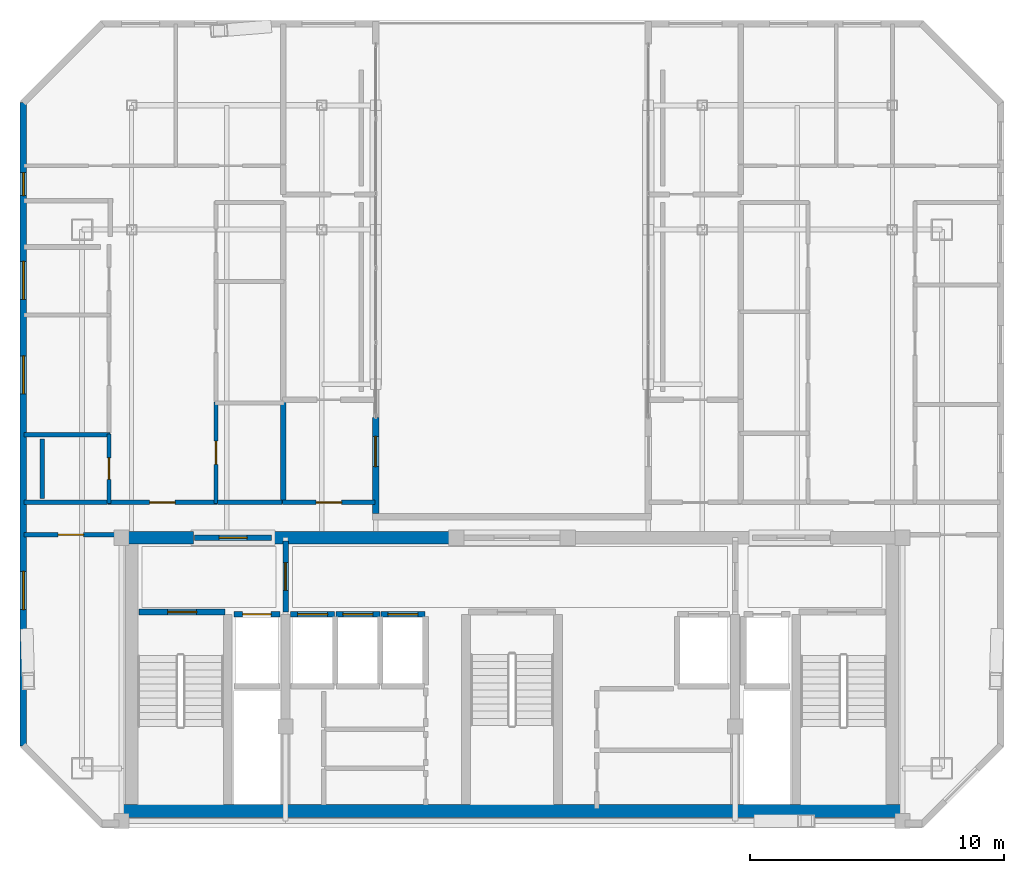
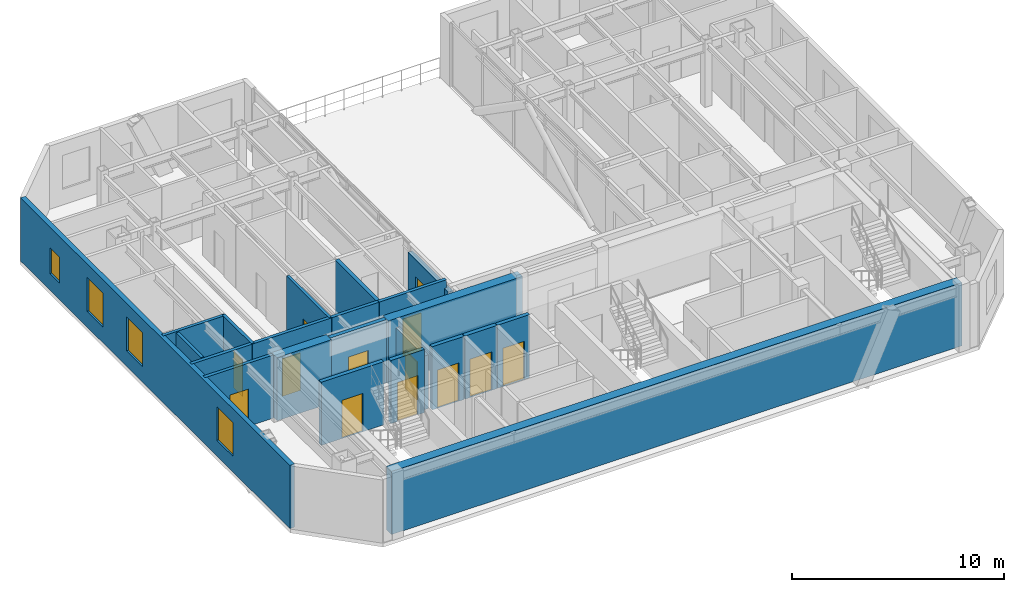
# One storey, part 9 of 14: 22 walls, 13 doors, 4 windows, 17 openings.
"""IFC4 building model written with IfcOpenShell, lengths in metres."""

from ifc_helpers import new_model, si_unit, direction, frame, frame_2d, origin, place, context, subcontext, project, spatial, rectangle, extrude, material, layer, layer_set, type_object, element, fill, save


model = new_model("IFC4")

# Units and contexts
model_context = context("Model", 3, precision=1e-05, world=origin(), true_north=direction((0.0, 1.0)))
body_context = subcontext(model_context, "Body", "Model", "MODEL_VIEW")
ifc_project = project(units=[si_unit("LENGTHUNIT", "METRE"), si_unit("AREAUNIT", "SQUARE_METRE"), si_unit("VOLUMEUNIT", "CUBIC_METRE"), si_unit("PLANEANGLEUNIT", "RADIAN"), si_unit("MASSUNIT", "GRAM", prefix="KILO")], contexts=[model_context])

# Site, building, storey
site_placement = place(None, origin())
site = spatial("IfcSite", under=ifc_project, at=site_placement, CompositionType="ELEMENT")
building_placement = place(site_placement, origin())
building = spatial("IfcBuilding", under=site, at=building_placement, Name="Ventersveld Concourse Tower", CompositionType="ELEMENT")
storey_placement = place(building_placement, frame((0.0, 0.0, 337.5)))
storey = spatial("IfcBuildingStorey", under=building, at=storey_placement, Name="L83", CompositionType="ELEMENT", Elevation=337.5)

# Walls
ifc_material_1 = material(Name="Concrete C50/60", Category="concrete")
ifc_layer_1 = layer(ifc_material_1, 0.5)
ifc_layer_set_1 = layer_set([ifc_layer_1], Name="Concrete C50/60")
wall_type_1 = type_object("IfcWallType", Name="WL-CORE-500", PredefinedType="SHEAR", material=ifc_layer_set_1)
wall_1_placement = place(storey_placement, frame((13.25, 0.669921875, 0.0), z_axis=(0.0, 0.0, 1.0), x_axis=(1.0, 0.0, 0.0)))
element("IfcWall", 1, at=wall_1_placement, inside=storey, type_object=wall_type_1, Name="L83 Rear Core South Shear Wall", PredefinedType="SHEAR", context=body_context, shape_type="SweptSolid", body=[
    extrude(rectangle(XDim=31.0, YDim=0.5, at=frame_2d((15.5, 0.0))), origin(), (0.0, 0.0, 1.0), 3.6298828125),
])
wall_2_placement = place(storey_placement, frame((13.25, 11.449951171875, 0.0), z_axis=(0.0, 0.0, 1.0), x_axis=(1.0, 0.0, 0.0)))
element("IfcWall", 2, at=wall_2_placement, inside=storey, type_object=wall_type_1, Name="L83 Rear Core North Shear Wall NW", PredefinedType="SHEAR", context=body_context, shape_type="SweptSolid", body=[
    extrude(rectangle(XDim=2.949951171875, YDim=0.5, at=frame_2d((1.47509765625, 0.0))), origin(), (0.0, 0.0, 1.0), 3.6298828125),
])
wall_3_placement = place(storey_placement, frame((19.300048828125, 11.449951171875, 0.0), z_axis=(0.0, 0.0, 1.0), x_axis=(1.0, 0.0, 0.0)))
element("IfcWall", 3, at=wall_3_placement, inside=storey, type_object=wall_type_1, Name="L83 Rear Core North Shear Wall NML", PredefinedType="SHEAR", context=body_context, shape_type="SweptSolid", body=[
    extrude(rectangle(XDim=7.300048828125, YDim=0.5, at=frame_2d((3.64990234375, 0.0))), origin(), (0.0, 0.0, 1.0), 3.6298828125),
])

# Wall, opening, door
ifc_material_2 = material(Name="Fire-rated autoclaved aerated masonry blockwork", Category="masonry")
ifc_layer_2 = layer(ifc_material_2, 0.179931640625)
ifc_layer_set_2 = layer_set([ifc_layer_2], Name="Fire-rated autoclaved aerated masonry blockwork")
wall_type_2 = type_object("IfcWallType", Name="WL-CORR-180", PredefinedType="PARTITIONING", material=ifc_layer_set_2)
wall_4_placement = place(storey_placement, frame((9.497802734375, 11.570068359375, 0.0), z_axis=(0.0, 0.0, 1.0), x_axis=(1.0, 0.0, 0.0)))
wall_4 = element("IfcWall", 4, at=wall_4_placement, inside=storey, type_object=wall_type_2, Name="L83 Interior Partition SP-L83-COR-W-SP-L83-SWSTU", PredefinedType="PARTITIONING", context=body_context, shape_type="SweptSolid", body=[
    extrude(rectangle(XDim=3.71728515625, YDim=0.179931640625, at=frame_2d((1.858642578125, 0.0))), origin(), (0.0, 0.0, 1.0), 3.6298828125),
])
opening_1_placement = place(wall_4_placement, frame((1.358642578125, 0.0, 0.0)))
opening_1 = element("IfcOpeningElement", 5, at=opening_1_placement, cuts=wall_4, Name="Opening FD3", PredefinedType="OPENING", context=body_context, shape_type="SweptSolid", body=[
    extrude(rectangle(XDim=1.0, YDim=2.14990234375, at=frame_2d((0.5, 1.074951171875))), frame((0.0, 0.10009765625, 0.0), z_axis=(0.0, -1.0, 0.0), x_axis=(1.0, 0.0, 0.0)), (0.0, 0.0, 1.0), 0.199951171875),
])
ifc_material_3 = material(Name="Solid-core hardwood veneer timber", Category="wood")
door_type_1 = type_object("IfcDoorType", Name="DR-FLAT-100", OperationType="NOTDEFINED", PredefinedType="DOOR", material=ifc_material_3)
door_1_placement = place(opening_1_placement, origin())
door_1 = element("IfcDoor", 6, at=door_1_placement, inside=storey, type_object=door_type_1, Name="L83 Interior Door SP-L83-COR-W to SP-L83-SWSTU (D-L83-3741)", OperationType="SINGLE_SWING_LEFT", OverallHeight=2.14990234375, OverallWidth=1.0, PredefinedType="DOOR", context=body_context, shape_type="SweptSolid", body=[
    extrude(rectangle(XDim=1.0, YDim=2.14990234375, at=frame_2d((0.5, 1.074951171875))), frame((0.0, 0.02490234375, 0.0), z_axis=(0.0, -1.0, 0.0), x_axis=(1.0, 0.0, 0.0)), (0.0, 0.0, 1.0), 0.050048828125),
])
fill(opening_1, door_1)

wall_5_placement = place(storey_placement, frame((19.705078125, 12.840087890625, 0.0), z_axis=(0.0, 0.0, 1.0), x_axis=(1.0, 0.0, 0.0)))
wall_5 = element("IfcWall", 7, at=wall_5_placement, inside=storey, type_object=wall_type_2, Name="L83 Interior Partition SP-L83-COR-W-SP-L83-WPLNG-W", PredefinedType="PARTITIONING", context=body_context, shape_type="SweptSolid", body=[
    extrude(rectangle(XDim=3.6455078125, YDim=0.179931640625, at=frame_2d((1.82275390625, 0.0))), origin(), (0.0, 0.0, 1.0), 3.6298828125),
])
opening_2_placement = place(wall_5_placement, frame((1.32275390625, 0.0, 0.0)))
opening_2 = element("IfcOpeningElement", 8, at=opening_2_placement, cuts=wall_5, Name="Opening FD3", PredefinedType="OPENING", context=body_context, shape_type="SweptSolid", body=[
    extrude(rectangle(XDim=1.0, YDim=2.14990234375, at=frame_2d((0.5, 1.074951171875))), frame((0.0, 0.10009765625, 0.0), z_axis=(0.0, -1.0, 0.0), x_axis=(1.0, 0.0, 0.0)), (0.0, 0.0, 1.0), 0.199951171875),
])
door_2_placement = place(opening_2_placement, origin())
door_2 = element("IfcDoor", 9, at=door_2_placement, inside=storey, type_object=door_type_1, Name="L83 Interior Door SP-L83-COR-W to SP-L83-WPLNG-W (D-L83-3742)", OperationType="SINGLE_SWING_RIGHT", OverallHeight=2.14990234375, OverallWidth=1.0, PredefinedType="DOOR", context=body_context, shape_type="SweptSolid", body=[
    extrude(rectangle(XDim=1.0, YDim=2.14990234375, at=frame_2d((0.5, 1.074951171875))), frame((0.0, 0.02490234375, 0.0), z_axis=(0.0, -1.0, 0.0), x_axis=(1.0, 0.0, 0.0)), (0.0, 0.0, 1.0), 0.050048828125),
])
fill(opening_2, door_2)

wall_6_placement = place(storey_placement, frame((12.819580078125, 12.840087890625, 0.0), z_axis=(0.0, 0.0, 1.0), x_axis=(1.0, 0.0, 0.0)))
wall_6 = element("IfcWall", 10, at=wall_6_placement, inside=storey, type_object=wall_type_2, Name="L83 Interior Partition SP-L83-COR-W-SP-L83-83WA-LIV", PredefinedType="PARTITIONING", context=body_context, shape_type="SweptSolid", body=[
    extrude(rectangle(XDim=4.288330078125, YDim=0.179931640625, at=frame_2d((2.14404296875, 0.0))), origin(), (0.0, 0.0, 1.0), 3.6298828125),
])
opening_3_placement = place(wall_6_placement, frame((1.644287109375, 0.0, 0.0)))
opening_3 = element("IfcOpeningElement", 11, at=opening_3_placement, cuts=wall_6, Name="Opening FD3", PredefinedType="OPENING", context=body_context, shape_type="SweptSolid", body=[
    extrude(rectangle(XDim=1.0, YDim=2.14990234375, at=frame_2d((0.5, 1.074951171875))), frame((0.0, 0.10009765625, 0.0), z_axis=(0.0, -1.0, 0.0), x_axis=(1.0, 0.0, 0.0)), (0.0, 0.0, 1.0), 0.199951171875),
])
door_3_placement = place(opening_3_placement, origin())
door_3 = element("IfcDoor", 12, at=door_3_placement, inside=storey, type_object=door_type_1, Name="L83 Interior Door SP-L83-COR-W to SP-L83-83WA-LIV (FD-L83-3743)", OperationType="SINGLE_SWING_LEFT", OverallHeight=2.14990234375, OverallWidth=1.0, PredefinedType="DOOR", context=body_context, shape_type="SweptSolid", body=[
    extrude(rectangle(XDim=1.0, YDim=2.14990234375, at=frame_2d((0.5, 1.074951171875))), frame((0.0, 0.02490234375, 0.0), z_axis=(0.0, -1.0, 0.0), x_axis=(1.0, 0.0, 0.0)), (0.0, 0.0, 1.0), 0.050048828125),
])
fill(opening_3, door_3)

# Walls
wall_7_placement = place(storey_placement, frame((9.497802734375, 12.840087890625, 0.0), z_axis=(0.0, 0.0, 1.0), x_axis=(1.0, 0.0, 0.0)))
element("IfcWall", 13, at=wall_7_placement, inside=storey, type_object=wall_type_2, Name="L83 Interior Partition SP-L83-COR-W-SP-L83-83WA-BATH", PredefinedType="PARTITIONING", context=body_context, shape_type="SweptSolid", body=[
    extrude(rectangle(XDim=3.291748046875, YDim=0.179931640625, at=frame_2d((1.64599609375, 0.0))), origin(), (0.0, 0.0, 1.0), 3.6298828125),
])
wall_8_placement = place(storey_placement, frame((17.137939453125, 12.840087890625, 0.0), z_axis=(0.0, 0.0, 1.0), x_axis=(1.0, 0.0, 0.0)))
element("IfcWall", 14, at=wall_8_placement, inside=storey, type_object=wall_type_2, Name="L83 Interior Partition SP-L83-COR-W-SP-L83-83WA-KIT", PredefinedType="PARTITIONING", context=body_context, shape_type="SweptSolid", body=[
    extrude(rectangle(XDim=2.537109375, YDim=0.179931640625, at=frame_2d((1.2685546875, 0.0))), origin(), (0.0, 0.0, 1.0), 3.6298828125),
])
ifc_layer_3 = layer(ifc_material_2, 0.199951171875)
ifc_layer_set_3 = layer_set([ifc_layer_3], Name="Fire-rated autoclaved aerated masonry blockwork")
wall_type_3 = type_object("IfcWallType", Name="WL-DEMISE-200", PredefinedType="PARTITIONING", material=ifc_layer_set_3)
wall_9_placement = place(storey_placement, frame((19.72998046875, 12.804931640625, 0.0), z_axis=(0.0, 0.0, 1.0), x_axis=(0.0, 1.0, 0.0)))
element("IfcWall", 15, at=wall_9_placement, inside=storey, type_object=wall_type_3, Name="L83 Interior Partition SP-L83-WPLNG-W-SP-L83-83WA-KIT", PredefinedType="PARTITIONING", context=body_context, shape_type="SweptSolid", body=[
    extrude(rectangle(XDim=3.989013671875, YDim=0.199951171875, at=frame_2d((1.99462890625, 0.0))), origin(), (0.0, 0.0, 1.0), 3.6298828125),
])

# Wall, opening, door
ifc_layer_4 = layer(ifc_material_2, 0.219970703125)
ifc_layer_set_4 = layer_set([ifc_layer_4], Name="Fire-rated autoclaved aerated masonry blockwork")
wall_type_4 = type_object("IfcWallType", Name="WL-HOIST-220", PredefinedType="SOLIDWALL", material=ifc_layer_set_4)
wall_10_placement = place(storey_placement, frame((17.780029296875, 8.429931640625, 0.0), z_axis=(0.0, 0.0, 1.0), x_axis=(1.0, 0.0, 0.0)))
wall_10 = element("IfcWall", 16, at=wall_10_placement, inside=storey, type_object=wall_type_4, Name="L83 Lift Hoistway Front Wall FFL-01", PredefinedType="SOLIDWALL", context=body_context, shape_type="SweptSolid", body=[
    extrude(rectangle(XDim=1.820068359375, YDim=0.219970703125, at=frame_2d((0.91015625, 0.0))), origin(), (0.0, 0.0, 1.0), 3.6298828125),
])
opening_4_placement = place(wall_10_placement, frame((0.35009765625, 0.0, 0.0)))
opening_4 = element("IfcOpeningElement", 17, at=opening_4_placement, cuts=wall_10, Name="Opening LD1", PredefinedType="OPENING", context=body_context, shape_type="SweptSolid", body=[
    extrude(rectangle(XDim=1.1201171875, YDim=2.25, at=frame_2d((0.56005859375, 1.125))), frame((0.0, 0.1201171875, 0.0), z_axis=(0.0, -1.0, 0.0), x_axis=(1.0, 0.0, 0.0)), (0.0, 0.0, 1.0), 0.239990234375),
])
ifc_material_4 = material(Name="Brushed stainless steel 316", Category="steel")
door_type_2 = type_object("IfcDoorType", Name="LD-FF-112", OperationType="SLIDING_TO_LEFT", PredefinedType="DOOR", material=ifc_material_4)
door_4_placement = place(opening_4_placement, origin())
door_4 = element("IfcDoor", 18, at=door_4_placement, inside=storey, type_object=door_type_2, Name="L83 Lift landing door FFL-01 (LD-L83-FFL-01)", OperationType="SLIDING_TO_RIGHT", OverallHeight=2.25, OverallWidth=1.1201171875, PredefinedType="DOOR", context=body_context, shape_type="SweptSolid", body=[
    extrude(rectangle(XDim=1.1201171875, YDim=2.25, at=frame_2d((0.56005859375, 1.125))), frame((0.0, 0.02490234375, 0.0), z_axis=(0.0, -1.0, 0.0), x_axis=(1.0, 0.0, 0.0)), (0.0, 0.0, 1.0), 0.050048828125),
])
fill(opening_4, door_4)

wall_11_placement = place(storey_placement, frame((20.02001953125, 8.429931640625, 0.0), z_axis=(0.0, 0.0, 1.0), x_axis=(1.0, 0.0, 0.0)))
wall_11 = element("IfcWall", 19, at=wall_11_placement, inside=storey, type_object=wall_type_4, Name="L83 Lift Hoistway Front Wall PH-01", PredefinedType="SOLIDWALL", context=body_context, shape_type="SweptSolid", body=[
    extrude(rectangle(XDim=1.739990234375, YDim=0.219970703125, at=frame_2d((0.8701171875, 0.0))), origin(), (0.0, 0.0, 1.0), 3.6298828125),
])
opening_5_placement = place(wall_11_placement, frame((0.280029296875, 0.0, 0.0)))
opening_5 = element("IfcOpeningElement", 20, at=opening_5_placement, cuts=wall_11, Name="Opening LD2", PredefinedType="OPENING", context=body_context, shape_type="SweptSolid", body=[
    extrude(rectangle(XDim=1.179931640625, YDim=2.199951171875, at=frame_2d((0.58984375, 1.10009765625))), frame((0.0, 0.1201171875, 0.0), z_axis=(0.0, -1.0, 0.0), x_axis=(1.0, 0.0, 0.0)), (0.0, 0.0, 1.0), 0.239990234375),
])
door_type_3 = type_object("IfcDoorType", Name="LD-PAX-118", OperationType="SLIDING_TO_LEFT", PredefinedType="DOOR", material=ifc_material_4)
door_5_placement = place(opening_5_placement, origin())
door_5 = element("IfcDoor", 21, at=door_5_placement, inside=storey, type_object=door_type_3, Name="L83 Lift landing door PH-01 (LD-L83-PH-01)", OperationType="SLIDING_TO_LEFT", OverallHeight=2.199951171875, OverallWidth=1.179931640625, PredefinedType="DOOR", context=body_context, shape_type="SweptSolid", body=[
    extrude(rectangle(XDim=1.179931640625, YDim=2.199951171875, at=frame_2d((0.58984375, 1.10009765625))), frame((0.0, 0.02490234375, 0.0), z_axis=(0.0, -1.0, 0.0), x_axis=(1.0, 0.0, 0.0)), (0.0, 0.0, 1.0), 0.050048828125),
])
fill(opening_5, door_5)

wall_12_placement = place(storey_placement, frame((21.800048828125, 8.429931640625, 0.0), z_axis=(0.0, 0.0, 1.0), x_axis=(1.0, 0.0, 0.0)))
wall_12 = element("IfcWall", 22, at=wall_12_placement, inside=storey, type_object=wall_type_4, Name="L83 Lift Hoistway Front Wall PH-02", PredefinedType="SOLIDWALL", context=body_context, shape_type="SweptSolid", body=[
    extrude(rectangle(XDim=1.739990234375, YDim=0.219970703125, at=frame_2d((0.8701171875, 0.0))), origin(), (0.0, 0.0, 1.0), 3.6298828125),
])
opening_6_placement = place(wall_12_placement, frame((0.280029296875, 0.0, 0.0)))
opening_6 = element("IfcOpeningElement", 23, at=opening_6_placement, cuts=wall_12, Name="Opening LD2", PredefinedType="OPENING", context=body_context, shape_type="SweptSolid", body=[
    extrude(rectangle(XDim=1.179931640625, YDim=2.199951171875, at=frame_2d((0.58984375, 1.10009765625))), frame((0.0, 0.1201171875, 0.0), z_axis=(0.0, -1.0, 0.0), x_axis=(1.0, 0.0, 0.0)), (0.0, 0.0, 1.0), 0.239990234375),
])
door_6_placement = place(opening_6_placement, origin())
door_6 = element("IfcDoor", 24, at=door_6_placement, inside=storey, type_object=door_type_3, Name="L83 Lift landing door PH-02 (LD-L83-PH-02)", OperationType="SLIDING_TO_RIGHT", OverallHeight=2.199951171875, OverallWidth=1.179931640625, PredefinedType="DOOR", context=body_context, shape_type="SweptSolid", body=[
    extrude(rectangle(XDim=1.179931640625, YDim=2.199951171875, at=frame_2d((0.58984375, 1.10009765625))), frame((0.0, 0.02490234375, 0.0), z_axis=(0.0, -1.0, 0.0), x_axis=(1.0, 0.0, 0.0)), (0.0, 0.0, 1.0), 0.050048828125),
])
fill(opening_6, door_6)

wall_13_placement = place(storey_placement, frame((23.580078125, 8.429931640625, 0.0), z_axis=(0.0, 0.0, 1.0), x_axis=(1.0, 0.0, 0.0)))
wall_13 = element("IfcWall", 25, at=wall_13_placement, inside=storey, type_object=wall_type_4, Name="L83 Lift Hoistway Front Wall PH-03", PredefinedType="SOLIDWALL", context=body_context, shape_type="SweptSolid", body=[
    extrude(rectangle(XDim=1.739990234375, YDim=0.219970703125, at=frame_2d((0.8701171875, 0.0))), origin(), (0.0, 0.0, 1.0), 3.6298828125),
])
opening_7_placement = place(wall_13_placement, frame((0.280029296875, 0.0, 0.0)))
opening_7 = element("IfcOpeningElement", 26, at=opening_7_placement, cuts=wall_13, Name="Opening LD2", PredefinedType="OPENING", context=body_context, shape_type="SweptSolid", body=[
    extrude(rectangle(XDim=1.179931640625, YDim=2.199951171875, at=frame_2d((0.58984375, 1.10009765625))), frame((0.0, 0.1201171875, 0.0), z_axis=(0.0, -1.0, 0.0), x_axis=(1.0, 0.0, 0.0)), (0.0, 0.0, 1.0), 0.239990234375),
])
door_7_placement = place(opening_7_placement, origin())
door_7 = element("IfcDoor", 27, at=door_7_placement, inside=storey, type_object=door_type_3, Name="L83 Lift landing door PH-03 (LD-L83-PH-03)", OperationType="SLIDING_TO_LEFT", OverallHeight=2.199951171875, OverallWidth=1.179931640625, PredefinedType="DOOR", context=body_context, shape_type="SweptSolid", body=[
    extrude(rectangle(XDim=1.179931640625, YDim=2.199951171875, at=frame_2d((0.58984375, 1.10009765625))), frame((0.0, 0.02490234375, 0.0), z_axis=(0.0, -1.0, 0.0), x_axis=(1.0, 0.0, 0.0)), (0.0, 0.0, 1.0), 0.050048828125),
])
fill(opening_7, door_7)

wall_14_placement = place(storey_placement, frame((14.0400390625, 8.52001953125, 0.0), z_axis=(0.0, 0.0, 1.0), x_axis=(1.0, 0.0, 0.0)))
wall_14 = element("IfcWall", 28, at=wall_14_placement, inside=storey, type_object=wall_type_4, Name="L83 Escape Stair ST01 Fire Wall", PredefinedType="SOLIDWALL", context=body_context, shape_type="SweptSolid", body=[
    extrude(rectangle(XDim=3.39990234375, YDim=0.219970703125, at=frame_2d((1.699951171875, 0.0))), origin(), (0.0, 0.0, 1.0), 3.6298828125),
])
opening_8_placement = place(wall_14_placement, frame((1.125, 0.0, 0.0)))
opening_8 = element("IfcOpeningElement", 29, at=opening_8_placement, cuts=wall_14, Name="Opening FD1", PredefinedType="OPENING", context=body_context, shape_type="SweptSolid", body=[
    extrude(rectangle(XDim=1.14990234375, YDim=2.199951171875, at=frame_2d((0.574951171875, 1.10009765625))), frame((0.0, 0.1201171875, 0.0), z_axis=(0.0, -1.0, 0.0), x_axis=(1.0, 0.0, 0.0)), (0.0, 0.0, 1.0), 0.239990234375),
])
ifc_material_5 = material(Name="Galvanised painted steel", Category="steel")
door_type_4 = type_object("IfcDoorType", Name="DR-STAIR-115", OperationType="NOTDEFINED", PredefinedType="DOOR", material=ifc_material_5)
door_8_placement = place(opening_8_placement, origin())
door_8 = element("IfcDoor", 30, at=door_8_placement, inside=storey, type_object=door_type_4, Name="L83 Escape Stair Door ST01 (SD-L83-3728)", OperationType="SINGLE_SWING_LEFT", OverallHeight=2.199951171875, OverallWidth=1.14990234375, PredefinedType="DOOR", context=body_context, shape_type="SweptSolid", body=[
    extrude(rectangle(XDim=1.14990234375, YDim=2.199951171875, at=frame_2d((0.574951171875, 1.10009765625))), frame((0.0, 0.02490234375, 0.0), z_axis=(0.0, -1.0, 0.0), x_axis=(1.0, 0.0, 0.0)), (0.0, 0.0, 1.0), 0.050048828125),
])
fill(opening_8, door_8)

wall_15_placement = place(storey_placement, frame((19.820068359375, 8.52001953125, 0.0), z_axis=(0.0, 0.0, 1.0), x_axis=(0.0, 1.0, 0.0)))
wall_15 = element("IfcWall", 31, at=wall_15_placement, inside=storey, type_object=wall_type_4, Name="L83 Firefighting Lobby Smoke-Stop Wall FFLW-SEP", PredefinedType="SOLIDWALL", context=body_context, shape_type="SweptSolid", body=[
    extrude(rectangle(XDim=2.800048828125, YDim=0.219970703125, at=frame_2d((1.39990234375, 0.0))), origin(), (0.0, 0.0, 1.0), 3.08544921875),
])
opening_9_placement = place(wall_15_placement, frame((0.85009765625, 0.0, 0.0)))
opening_9 = element("IfcOpeningElement", 32, at=opening_9_placement, cuts=wall_15, Name="Opening FD2", PredefinedType="OPENING", context=body_context, shape_type="SweptSolid", body=[
    extrude(rectangle(XDim=1.10009765625, YDim=2.199951171875, at=frame_2d((0.550048828125, 1.10009765625))), frame((0.0, 0.1201171875, 0.0), z_axis=(0.0, -1.0, 0.0), x_axis=(1.0, 0.0, 0.0)), (0.0, 0.0, 1.0), 0.239990234375),
])
door_type_5 = type_object("IfcDoorType", Name="DR-FFL-110", OperationType="NOTDEFINED", PredefinedType="DOOR", material=ifc_material_5)
door_9_placement = place(opening_9_placement, origin())
door_9 = element("IfcDoor", 33, at=door_9_placement, inside=storey, type_object=door_type_5, Name="L83 Firefighting Lobby Door FFLW-SEP (FD-L83-3731)", OperationType="SINGLE_SWING_LEFT", OverallHeight=2.199951171875, OverallWidth=1.10009765625, PredefinedType="DOOR", context=body_context, shape_type="SweptSolid", body=[
    extrude(rectangle(XDim=1.10009765625, YDim=2.199951171875, at=frame_2d((0.550048828125, 1.10009765625))), frame((0.0, 0.02490234375, 0.0), z_axis=(0.0, -1.0, 0.0), x_axis=(1.0, 0.0, 0.0)), (0.0, 0.0, 1.0), 0.050048828125),
])
fill(opening_9, door_9)

wall_16_placement = place(storey_placement, frame((16.22998046875, 11.449951171875, 0.0), z_axis=(0.0, 0.0, 1.0), x_axis=(1.0, 0.0, 0.0)))
wall_16 = element("IfcWall", 34, at=wall_16_placement, inside=storey, type_object=wall_type_4, Name="L83 Core North Fire Portal FFLW-OUT", PredefinedType="SOLIDWALL", context=body_context, shape_type="SweptSolid", body=[
    extrude(rectangle(XDim=3.0400390625, YDim=0.219970703125, at=frame_2d((1.52001953125, 0.0))), origin(), (0.0, 0.0, 1.0), 3.6298828125),
])
opening_10_placement = place(wall_16_placement, frame((0.969970703125, 0.0, 0.0)))
opening_10 = element("IfcOpeningElement", 35, at=opening_10_placement, cuts=wall_16, Name="Opening FD2", PredefinedType="OPENING", context=body_context, shape_type="SweptSolid", body=[
    extrude(rectangle(XDim=1.10009765625, YDim=2.199951171875, at=frame_2d((0.550048828125, 1.10009765625))), frame((0.0, 0.1201171875, 0.0), z_axis=(0.0, -1.0, 0.0), x_axis=(1.0, 0.0, 0.0)), (0.0, 0.0, 1.0), 0.239990234375),
])
door_10_placement = place(opening_10_placement, origin())
door_10 = element("IfcDoor", 36, at=door_10_placement, inside=storey, type_object=door_type_5, Name="L83 Core Lobby Fire Door FFLW-OUT (FD-L83-3733)", OperationType="SINGLE_SWING_RIGHT", OverallHeight=2.199951171875, OverallWidth=1.10009765625, PredefinedType="DOOR", context=body_context, shape_type="SweptSolid", body=[
    extrude(rectangle(XDim=1.10009765625, YDim=2.199951171875, at=frame_2d((0.550048828125, 1.10009765625))), frame((0.0, 0.02490234375, 0.0), z_axis=(0.0, -1.0, 0.0), x_axis=(1.0, 0.0, 0.0)), (0.0, 0.0, 1.0), 0.050048828125),
])
fill(opening_10, door_10)

ifc_material_6 = material(Name="Autoclaved aerated masonry blockwork", Category="masonry")
ifc_layer_5 = layer(ifc_material_6, 0.14990234375)
ifc_layer_set_5 = layer_set([ifc_layer_5], Name="Autoclaved aerated masonry blockwork")
wall_type_5 = type_object("IfcWallType", Name="WL-INT-150", PredefinedType="PARTITIONING", material=ifc_layer_set_5)
wall_17_placement = place(storey_placement, frame((17.072998046875, 12.804931640625, 0.0), z_axis=(0.0, 0.0, 1.0), x_axis=(0.0, 1.0, 0.0)))
wall_17 = element("IfcWall", 37, at=wall_17_placement, inside=storey, type_object=wall_type_5, Name="L83 Interior Partition SP-L83-83WA-LIV-SP-L83-83WA-KIT", PredefinedType="PARTITIONING", context=body_context, shape_type="SweptSolid", body=[
    extrude(rectangle(XDim=3.989013671875, YDim=0.14990234375, at=frame_2d((1.99462890625, 0.0))), origin(), (0.0, 0.0, 1.0), 3.6298828125),
])
opening_11_placement = place(wall_17_placement, frame((1.534423828125, 0.0, 0.0)))
opening_11 = element("IfcOpeningElement", 38, at=opening_11_placement, cuts=wall_17, Name="Opening ID1", PredefinedType="OPENING", context=body_context, shape_type="SweptSolid", body=[
    extrude(rectangle(XDim=0.919921875, YDim=2.10009765625, at=frame_2d((0.4599609375, 1.050048828125))), frame((0.0, 0.0849609375, 0.0), z_axis=(0.0, -1.0, 0.0), x_axis=(1.0, 0.0, 0.0)), (0.0, 0.0, 1.0), 0.169921875),
])
door_type_6 = type_object("IfcDoorType", Name="DR-ROOM-092", OperationType="NOTDEFINED", PredefinedType="DOOR", material=ifc_material_3)
door_11_placement = place(opening_11_placement, origin())
door_11 = element("IfcDoor", 39, at=door_11_placement, inside=storey, type_object=door_type_6, Name="L83 Interior Door SP-L83-83WA-LIV to SP-L83-83WA-KIT (D-L83-3754)", OperationType="SINGLE_SWING_RIGHT", OverallHeight=2.10009765625, OverallWidth=0.919921875, PredefinedType="DOOR", context=body_context, shape_type="SweptSolid", body=[
    extrude(rectangle(XDim=0.919921875, YDim=2.10009765625, at=frame_2d((0.4599609375, 1.050048828125))), frame((0.0, 0.02490234375, 0.0), z_axis=(0.0, -1.0, 0.0), x_axis=(1.0, 0.0, 0.0)), (0.0, 0.0, 1.0), 0.050048828125),
])
fill(opening_11, door_11)

ifc_material_7 = material(Name="Precast concrete C45/55", Category="concrete")
ifc_layer_6 = layer(ifc_material_7, 0.260009765625)
ifc_layer_set_6 = layer_set([ifc_layer_6], Name="Precast concrete C45/55")
wall_type_6 = type_object("IfcWallType", Name="WL-PREC-260", PredefinedType="SOLIDWALL", material=ifc_layer_set_6)
wall_18_placement = place(storey_placement, frame((23.3701171875, 12.39990234375, 0.0), z_axis=(0.0, 0.0, 1.0), x_axis=(0.0, 1.0, 0.0)))
wall_18 = element("IfcWall", 40, at=wall_18_placement, inside=storey, type_object=wall_type_6, Name="L83 Wind Portal South Cheek Pier", PredefinedType="SOLIDWALL", context=body_context, shape_type="SweptSolid", body=[
    extrude(rectangle(XDim=3.800048828125, YDim=0.260009765625, at=frame_2d((1.89990234375, 0.0))), origin(), (0.0, 0.0, 1.0), 3.169921875),
])
opening_12_placement = place(wall_18_placement, frame((1.85009765625, 0.0, 0.0)))
opening_12 = element("IfcOpeningElement", 41, at=opening_12_placement, cuts=wall_18, Name="Opening TD1", PredefinedType="OPENING", context=body_context, shape_type="SweptSolid", body=[
    extrude(rectangle(XDim=1.199951171875, YDim=2.199951171875, at=frame_2d((0.60009765625, 1.10009765625))), frame((0.0, 0.14013671875, 0.0), z_axis=(0.0, -1.0, 0.0), x_axis=(1.0, 0.0, 0.0)), (0.0, 0.0, 1.0), 0.280029296875),
])
ifc_material_8 = material(Name="Anodised aluminium EN AW-6063-T6", Category="aluminium")
door_type_7 = type_object("IfcDoorType", Name="DR-TERR-120", OperationType="NOTDEFINED", PredefinedType="DOOR", material=ifc_material_8)
door_12_placement = place(opening_12_placement, origin())
door_12 = element("IfcDoor", 42, at=door_12_placement, inside=storey, type_object=door_type_7, Name="L83 Wind Portal Deck Access Door", OperationType="SINGLE_SWING_LEFT", OverallHeight=2.199951171875, OverallWidth=1.199951171875, PredefinedType="DOOR", context=body_context, shape_type="SweptSolid", body=[
    extrude(rectangle(XDim=1.199951171875, YDim=2.199951171875, at=frame_2d((0.60009765625, 1.10009765625))), frame((0.0, 0.02490234375, 0.0), z_axis=(0.0, -1.0, 0.0), x_axis=(1.0, 0.0, 0.0)), (0.0, 0.0, 1.0), 0.050048828125),
])
fill(opening_12, door_12)

# Wall, openings, windows
wall_19_placement = place(storey_placement, frame((9.478515625, 28.61376953125, 0.0), z_axis=(0.0, 0.0, 1.0), x_axis=(0.0, -1.0, 0.0)))
wall_19 = element("IfcWall", 43, at=wall_19_placement, inside=storey, type_object=wall_type_6, Name="L83 Highveld Precast Facade Wall E11", PredefinedType="SOLIDWALL", context=body_context, shape_type="SweptSolid", body=[
    extrude(rectangle(XDim=25.373779296875, YDim=0.260009765625, at=frame_2d((12.68701171875, 0.0))), origin(), (0.0, 0.0, 1.0), 3.6298828125),
])
opening_13_placement = place(wall_19_placement, frame((18.49658203125, 0.0, 0.89990234375)))
opening_13 = element("IfcOpeningElement", 44, at=opening_13_placement, cuts=wall_19, Name="Opening W1", PredefinedType="OPENING", context=body_context, shape_type="SweptSolid", body=[
    extrude(rectangle(XDim=1.5, YDim=1.949951171875, at=frame_2d((0.75, 0.97509765625))), frame((0.0, 0.14013671875, 0.0), z_axis=(0.0, -1.0, 0.0), x_axis=(1.0, 0.0, 0.0)), (0.0, 0.0, 1.0), 0.280029296875),
])
opening_14_placement = place(wall_19_placement, frame((2.77001953125, 0.0, 0.949951171875)))
opening_14 = element("IfcOpeningElement", 45, at=opening_14_placement, cuts=wall_19, Name="Opening W4", PredefinedType="OPENING", context=body_context, shape_type="SweptSolid", body=[
    extrude(rectangle(XDim=0.89990234375, YDim=1.5, at=frame_2d((0.449951171875, 0.75))), frame((0.0, 0.14013671875, 0.0), z_axis=(0.0, -1.0, 0.0), x_axis=(1.0, 0.0, 0.0)), (0.0, 0.0, 1.0), 0.280029296875),
])
opening_15_placement = place(wall_19_placement, frame((9.99658203125, 0.0, 0.89990234375)))
opening_15 = element("IfcOpeningElement", 46, at=opening_15_placement, cuts=wall_19, Name="Opening W1", PredefinedType="OPENING", context=body_context, shape_type="SweptSolid", body=[
    extrude(rectangle(XDim=1.5, YDim=1.949951171875, at=frame_2d((0.75, 0.97509765625))), frame((0.0, 0.14013671875, 0.0), z_axis=(0.0, -1.0, 0.0), x_axis=(1.0, 0.0, 0.0)), (0.0, 0.0, 1.0), 0.280029296875),
])
opening_16_placement = place(wall_19_placement, frame((6.263671875, 0.0, 0.89990234375)))
opening_16 = element("IfcOpeningElement", 47, at=opening_16_placement, cuts=wall_19, Name="Opening W1", PredefinedType="OPENING", context=body_context, shape_type="SweptSolid", body=[
    extrude(rectangle(XDim=1.5, YDim=1.949951171875, at=frame_2d((0.75, 0.97509765625))), frame((0.0, 0.14013671875, 0.0), z_axis=(0.0, -1.0, 0.0), x_axis=(1.0, 0.0, 0.0)), (0.0, 0.0, 1.0), 0.280029296875),
])
ifc_material_9 = material(Name="Tempered acoustic Low-E IGU", Category="glass")
window_type_1 = type_object("IfcWindowType", Name="WIN-090x150", PartitioningType="SINGLE_PANEL", PredefinedType="WINDOW", material=ifc_material_9)
window_1_placement = place(opening_14_placement, origin())
window_1 = element("IfcWindow", 48, at=window_1_placement, inside=storey, type_object=window_type_1, Name="L83 Punched Low-E Window W-1162", OverallHeight=1.5, OverallWidth=0.89990234375, PartitioningType="SINGLE_PANEL", PredefinedType="WINDOW", context=body_context, shape_type="SweptSolid", body=[
    extrude(rectangle(XDim=0.89990234375, YDim=1.5, at=frame_2d((0.449951171875, 0.75))), frame((0.0, 0.030029296875, 0.0), z_axis=(0.0, -1.0, 0.0), x_axis=(1.0, 0.0, 0.0)), (0.0, 0.0, 1.0), 0.06005859375),
])
fill(opening_14, window_1)
window_type_2 = type_object("IfcWindowType", Name="WIN-150x210", PartitioningType="SINGLE_PANEL", PredefinedType="WINDOW", material=ifc_material_9)
window_2_placement = place(opening_13_placement, origin())
window_2 = element("IfcWindow", 49, at=window_2_placement, inside=storey, type_object=window_type_2, Name="L83 Punched Low-E Window W-1158", OverallHeight=1.949951171875, OverallWidth=1.5, PartitioningType="SINGLE_PANEL", PredefinedType="WINDOW", context=body_context, shape_type="SweptSolid", body=[
    extrude(rectangle(XDim=1.5, YDim=1.949951171875, at=frame_2d((0.75, 0.97509765625))), frame((0.0, 0.030029296875, 0.0), z_axis=(0.0, -1.0, 0.0), x_axis=(1.0, 0.0, 0.0)), (0.0, 0.0, 1.0), 0.06005859375),
])
fill(opening_13, window_2)
window_3_placement = place(opening_15_placement, origin())
window_3 = element("IfcWindow", 50, at=window_3_placement, inside=storey, type_object=window_type_2, Name="L83 Punched Low-E Window W-1163", OverallHeight=1.949951171875, OverallWidth=1.5, PartitioningType="SINGLE_PANEL", PredefinedType="WINDOW", context=body_context, shape_type="SweptSolid", body=[
    extrude(rectangle(XDim=1.5, YDim=1.949951171875, at=frame_2d((0.75, 0.97509765625))), frame((0.0, 0.030029296875, 0.0), z_axis=(0.0, -1.0, 0.0), x_axis=(1.0, 0.0, 0.0)), (0.0, 0.0, 1.0), 0.06005859375),
])
fill(opening_15, window_3)
window_4_placement = place(opening_16_placement, origin())
window_4 = element("IfcWindow", 51, at=window_4_placement, inside=storey, type_object=window_type_2, Name="L83 Punched Low-E Window W-1164", OverallHeight=1.949951171875, OverallWidth=1.5, PartitioningType="SINGLE_PANEL", PredefinedType="WINDOW", context=body_context, shape_type="SweptSolid", body=[
    extrude(rectangle(XDim=1.5, YDim=1.949951171875, at=frame_2d((0.75, 0.97509765625))), frame((0.0, 0.030029296875, 0.0), z_axis=(0.0, -1.0, 0.0), x_axis=(1.0, 0.0, 0.0)), (0.0, 0.0, 1.0), 0.06005859375),
])
fill(opening_16, window_4)

# Wall, opening, door
ifc_layer_7 = layer(ifc_material_6, 0.1650390625)
ifc_layer_set_7 = layer_set([ifc_layer_7], Name="Autoclaved aerated masonry blockwork")
wall_type_7 = type_object("IfcWallType", Name="WL-WET-165", PredefinedType="PLUMBINGWALL", material=ifc_layer_set_7)
wall_20_placement = place(storey_placement, frame((12.8544921875, 12.804931640625, 0.0), z_axis=(0.0, 0.0, 1.0), x_axis=(0.0, 1.0, 0.0)))
wall_20 = element("IfcWall", 52, at=wall_20_placement, inside=storey, type_object=wall_type_7, Name="L83 Interior Partition SP-L83-83WA-LIV-SP-L83-83WA-BATH", PredefinedType="PLUMBINGWALL", context=body_context, shape_type="SweptSolid", body=[
    extrude(rectangle(XDim=2.738037109375, YDim=0.1650390625, at=frame_2d((1.369140625, 0.0))), origin(), (0.0, 0.0, 1.0), 3.6298828125),
])
opening_17_placement = place(wall_20_placement, frame((0.94384765625, 0.0, 0.0)))
opening_17 = element("IfcOpeningElement", 53, at=opening_17_placement, cuts=wall_20, Name="Opening ID2", PredefinedType="OPENING", context=body_context, shape_type="SweptSolid", body=[
    extrude(rectangle(XDim=0.85009765625, YDim=2.10009765625, at=frame_2d((0.425048828125, 1.050048828125))), frame((0.0, 0.092529296875, 0.0), z_axis=(0.0, -1.0, 0.0), x_axis=(1.0, 0.0, 0.0)), (0.0, 0.0, 1.0), 0.18505859375),
])
door_type_8 = type_object("IfcDoorType", Name="DR-BATH-085", OperationType="NOTDEFINED", PredefinedType="DOOR", material=ifc_material_3)
door_13_placement = place(opening_17_placement, origin())
door_13 = element("IfcDoor", 54, at=door_13_placement, inside=storey, type_object=door_type_8, Name="L83 Interior Door SP-L83-83WA-LIV to SP-L83-83WA-BATH (D-L83-3751)", OperationType="SINGLE_SWING_LEFT", OverallHeight=2.10009765625, OverallWidth=0.85009765625, PredefinedType="DOOR", context=body_context, shape_type="SweptSolid", body=[
    extrude(rectangle(XDim=0.85009765625, YDim=2.10009765625, at=frame_2d((0.425048828125, 1.050048828125))), frame((0.0, 0.02490234375, 0.0), z_axis=(0.0, -1.0, 0.0), x_axis=(1.0, 0.0, 0.0)), (0.0, 0.0, 1.0), 0.050048828125),
])
fill(opening_17, door_13)

# Walls
wall_21_placement = place(storey_placement, frame((9.497802734375, 15.5078125, 0.0), z_axis=(0.0, 0.0, 1.0), x_axis=(1.0, 0.0, 0.0)))
element("IfcWall", 55, at=wall_21_placement, inside=storey, type_object=wall_type_7, Name="L83 Interior Partition SP-L83-83WA-BATH-SP-L83-83WA-MEDL0", PredefinedType="PLUMBINGWALL", context=body_context, shape_type="SweptSolid", body=[
    extrude(rectangle(XDim=3.3916015625, YDim=0.1650390625, at=frame_2d((1.69580078125, 0.0))), origin(), (0.0, 0.0, 1.0), 3.6298828125),
])
wall_22_placement = place(storey_placement, frame((10.228515625, 13.0048828125, 0.0), z_axis=(0.0, 0.0, 1.0), x_axis=(0.0, 1.0, 0.0)))
element("IfcWall", 56, at=wall_22_placement, inside=storey, type_object=wall_type_7, Name="L83 Room Enclosure Wall SP-L83-83WA-BATH", PredefinedType="PLUMBINGWALL", context=body_context, shape_type="SweptSolid", body=[
    extrude(rectangle(XDim=2.338134765625, YDim=0.1650390625, at=frame_2d((1.1689453125, 0.0))), origin(), (0.0, 0.0, 1.0), 3.6298828125),
])

save(model, "model.ifc")
